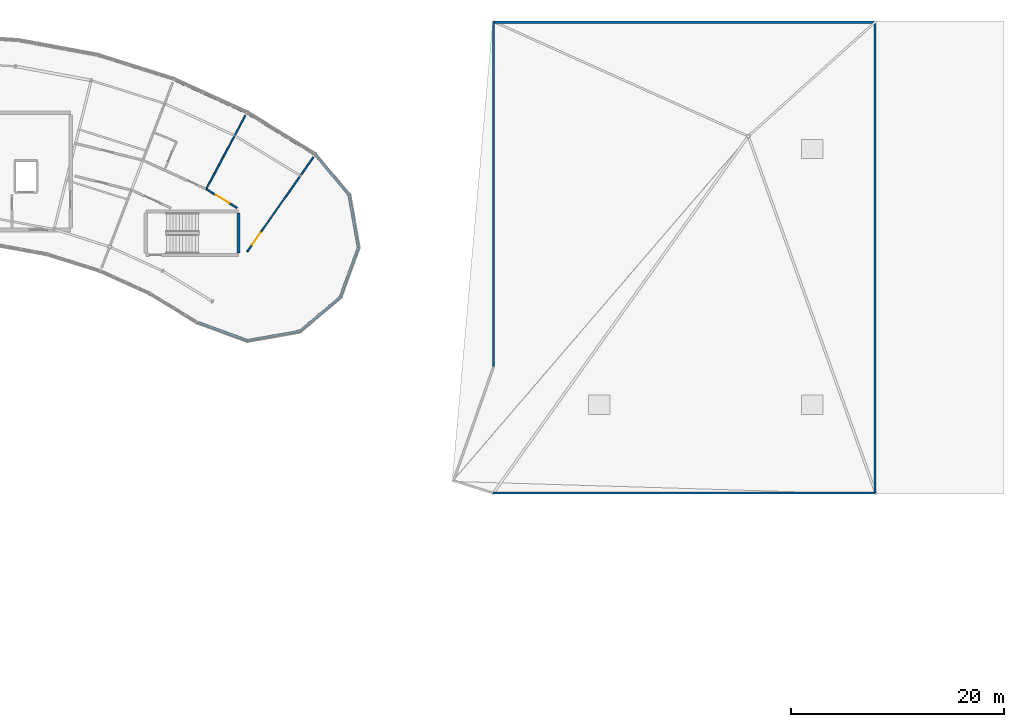
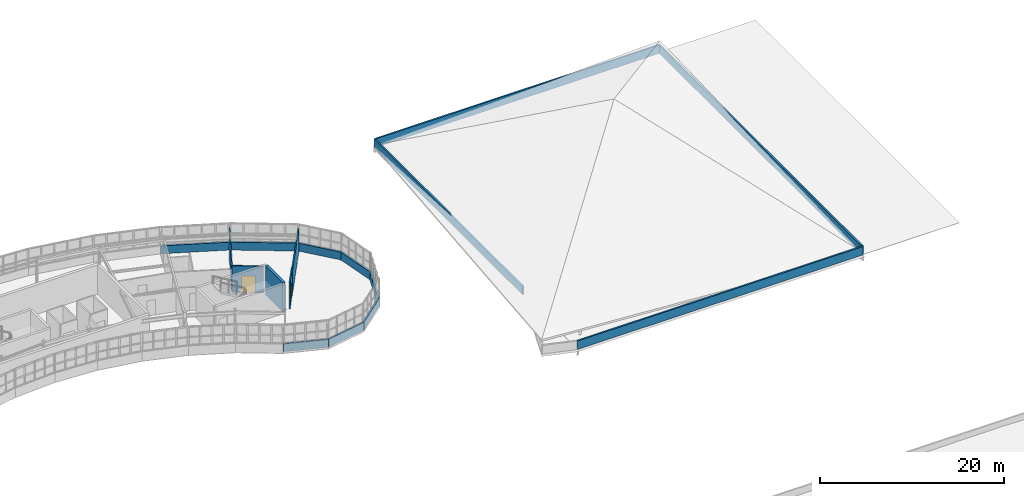
# One storey, part 70 of 79: 17 walls, 2 doors, 2 openings.
"""IFC4 building model written with IfcOpenShell, lengths in metres."""

from ifc_helpers import new_model, si_unit, direction, frame, frame_2d, origin, place, context, subcontext, project, spatial, rectangle, extrude, material, layer, layer_set, type_object, element, fill, save


model = new_model("IFC4")

# Units and contexts
model_context = context("Model", 3, precision=1e-05, world=origin(), true_north=direction((0.0, 1.0)))
body_context = subcontext(model_context, "Body", "Model", "MODEL_VIEW")
ifc_project = project(units=[si_unit("LENGTHUNIT", "METRE"), si_unit("AREAUNIT", "SQUARE_METRE"), si_unit("VOLUMEUNIT", "CUBIC_METRE"), si_unit("PLANEANGLEUNIT", "RADIAN"), si_unit("MASSUNIT", "GRAM", prefix="KILO")], contexts=[model_context])

# Site, building, storey
site_placement = place(None, origin())
site = spatial("IfcSite", under=ifc_project, at=site_placement, CompositionType="ELEMENT")
building_placement = place(site_placement, origin())
building = spatial("IfcBuilding", under=site, at=building_placement, Name="Tarnwether General Hospital", CompositionType="ELEMENT")
storey_placement = place(building_placement, frame((0.0, 0.0, 18.300048828125)))
storey = spatial("IfcBuildingStorey", under=building, at=storey_placement, Name="L04", CompositionType="ELEMENT", Elevation=18.300048828125)

# Walls
ifc_material_1 = material(Name="Streamlined white enamelled aluminium", Category="aluminium")
ifc_layer_1 = layer(ifc_material_1, 0.219970703125)
ifc_layer_set_1 = layer_set([ifc_layer_1], Name="Streamlined white enamelled aluminium")
wall_type_1 = type_object("IfcWallType", Name="WL-EX220", PredefinedType="STANDARD", material=ifc_layer_set_1)
wall_1_placement = place(storey_placement, frame((120.989013671875, 96.031982421875, 0.0), z_axis=(0.0, 0.0, 1.0), x_axis=(-0.939654190044, 0.34212571247, 0.0)))
element("IfcWall", 1, at=wall_1_placement, inside=storey, type_object=wall_type_1, Name="Ward NW Streamlined White Spandrel EW-L04-0048", PredefinedType="STANDARD", context=body_context, shape_type="SweptSolid", body=[
    extrude(rectangle(XDim=4.96875, YDim=0.219970703125, at=frame_2d((2.484375, 0.0))), origin(), (0.0, 0.0, 1.0), 1.050048828125),
])
wall_2_placement = place(storey_placement, frame((125.883056640625, 96.89501953125, 0.0), z_axis=(0.0, 0.0, 1.0), x_axis=(-0.984804817938, -0.173664822479, 0.0)))
element("IfcWall", 2, at=wall_2_placement, inside=storey, type_object=wall_type_1, Name="Ward NW Streamlined White Spandrel EW-L04-0049", PredefinedType="STANDARD", context=body_context, shape_type="SweptSolid", body=[
    extrude(rectangle(XDim=4.969482421875, YDim=0.219970703125, at=frame_2d((2.48486328125, 0.0))), origin(), (0.0, 0.0, 1.0), 1.050048828125),
])
wall_3_placement = place(storey_placement, frame((129.68994140625, 100.090087890625, 0.0), z_axis=(0.0, 0.0, 1.0), x_axis=(-0.765973821879, -0.642871763415, 0.0)))
element("IfcWall", 3, at=wall_3_placement, inside=storey, type_object=wall_type_1, Name="Ward NW Streamlined White Spandrel EW-L04-0050", PredefinedType="STANDARD", context=body_context, shape_type="SweptSolid", body=[
    extrude(rectangle(XDim=4.969970703125, YDim=0.219970703125, at=frame_2d((2.48486328125, 0.0))), origin(), (0.0, 0.0, 1.0), 1.050048828125),
])
wall_4_placement = place(storey_placement, frame((131.388916015625, 104.759033203125, 0.0), z_axis=(0.0, 0.0, 1.0), x_axis=(-0.341952160632, -0.939717361678, 0.0)))
element("IfcWall", 4, at=wall_4_placement, inside=storey, type_object=wall_type_1, Name="Ward NW Streamlined White Spandrel EW-L04-0051", PredefinedType="STANDARD", context=body_context, shape_type="SweptSolid", body=[
    extrude(rectangle(XDim=4.968505859375, YDim=0.219970703125, at=frame_2d((2.484375, 0.0))), origin(), (0.0, 0.0, 1.0), 1.050048828125),
])
wall_5_placement = place(storey_placement, frame((130.527099609375, 109.653076171875, 0.0), z_axis=(0.0, 0.0, 1.0), x_axis=(0.173426579259, -0.984846801085, 0.0)))
element("IfcWall", 5, at=wall_5_placement, inside=storey, type_object=wall_type_1, Name="Ward NW Streamlined White Spandrel EW-L04-0052", PredefinedType="STANDARD", context=body_context, shape_type="SweptSolid", body=[
    extrude(rectangle(XDim=4.96923828125, YDim=0.219970703125, at=frame_2d((2.484619140625, 0.0))), origin(), (0.0, 0.0, 1.0), 1.050048828125),
])
wall_6_placement = place(storey_placement, frame((127.33203125, 113.4599609375, 0.0), z_axis=(0.0, 0.0, 1.0), x_axis=(0.642871763415, -0.765973821879, 0.0)))
element("IfcWall", 6, at=wall_6_placement, inside=storey, type_object=wall_type_1, Name="Ward NW Streamlined White Spandrel EW-L04-0053", PredefinedType="STANDARD", context=body_context, shape_type="SweptSolid", body=[
    extrude(rectangle(XDim=4.969970703125, YDim=0.219970703125, at=frame_2d((2.48486328125, 0.0))), origin(), (0.0, 0.0, 1.0), 1.050048828125),
])
wall_7_placement = place(storey_placement, frame((120.9189453125, 117.389892578125, 0.0), z_axis=(0.0, 0.0, 1.0), x_axis=(0.852640903338, -0.522497358803, 0.0)))
element("IfcWall", 7, at=wall_7_placement, inside=storey, type_object=wall_type_1, Name="Ward NW Streamlined White Spandrel EW-L04-0054", PredefinedType="STANDARD", context=body_context, shape_type="SweptSolid", body=[
    extrude(rectangle(XDim=7.521484375, YDim=0.219970703125, at=frame_2d((3.7607421875, 0.0))), origin(), (0.0, 0.0, 1.0), 1.050048828125),
])
wall_8_placement = place(storey_placement, frame((114.074951171875, 120.509033203125, 0.0), z_axis=(0.0, 0.0, 1.0), x_axis=(0.909953604353, -0.414710064895, 0.0)))
element("IfcWall", 8, at=wall_8_placement, inside=storey, type_object=wall_type_1, Name="Ward NW Streamlined White Spandrel EW-L04-0055", PredefinedType="STANDARD", context=body_context, shape_type="SweptSolid", body=[
    extrude(rectangle(XDim=7.521240234375, YDim=0.219970703125, at=frame_2d((3.7607421875, 0.0))), origin(), (0.0, 0.0, 1.0), 1.050048828125),
])
ifc_material_2 = material(Name="Precast concrete 40 MPa", Category="concrete")
ifc_layer_2 = layer(ifc_material_2, 0.199951171875)
ifc_layer_set_2 = layer_set([ifc_layer_2], Name="Precast concrete 40 MPa")
wall_type_2 = type_object("IfcWallType", Name="WL-PR200", PredefinedType="PARAPET", material=ifc_layer_set_2)
wall_9_placement = place(storey_placement, frame((144.10009765625, 93.60009765625, 0.329833984375), z_axis=(0.0, 0.0, 1.0), x_axis=(0.0, 1.0, 0.0)))
element("IfcWall", 9, at=wall_9_placement, inside=storey, type_object=wall_type_2, Name="Flat Roof Parapet EW-L04-0376", PredefinedType="PARAPET", context=body_context, shape_type="SweptSolid", body=[
    extrude(rectangle(XDim=32.2998046875, YDim=0.199951171875, at=frame_2d((16.14990234375, 0.0))), origin(), (0.0, 0.0, 1.0), 1.1201171875),
])
wall_10_placement = place(storey_placement, frame((144.10009765625, 125.89990234375, 0.329833984375), z_axis=(0.0, 0.0, 1.0), x_axis=(1.0, 0.0, 0.0)))
element("IfcWall", 10, at=wall_10_placement, inside=storey, type_object=wall_type_2, Name="Flat Roof Parapet EW-L04-0377", PredefinedType="PARAPET", context=body_context, shape_type="SweptSolid", body=[
    extrude(rectangle(XDim=35.7998046875, YDim=0.199951171875, at=frame_2d((17.89990234375, 0.0))), origin(), (0.0, 0.0, 1.0), 1.1201171875),
])
wall_11_placement = place(storey_placement, frame((179.89990234375, 125.89990234375, 0.329833984375), z_axis=(0.0, 0.0, 1.0), x_axis=(0.0, -1.0, 0.0)))
element("IfcWall", 11, at=wall_11_placement, inside=storey, type_object=wall_type_2, Name="Flat Roof Parapet EW-L04-0378", PredefinedType="PARAPET", context=body_context, shape_type="SweptSolid", body=[
    extrude(rectangle(XDim=44.199951171875, YDim=0.199951171875, at=frame_2d((22.10009765625, 0.0))), origin(), (0.0, 0.0, 1.0), 1.1201171875),
])
wall_12_placement = place(storey_placement, frame((179.89990234375, 81.699951171875, 0.329833984375), z_axis=(0.0, 0.0, 1.0), x_axis=(-1.0, 0.0, 0.0)))
element("IfcWall", 12, at=wall_12_placement, inside=storey, type_object=wall_type_2, Name="Flat Roof Parapet EW-L04-0379", PredefinedType="PARAPET", context=body_context, shape_type="SweptSolid", body=[
    extrude(rectangle(XDim=35.885009765625, YDim=0.199951171875, at=frame_2d((17.9423828125, 0.0))), origin(), (0.0, 0.0, 1.0), 1.1201171875),
])
ifc_material_3 = material(Name="Gypsum plasterboard")
ifc_layer_3 = layer(ifc_material_3, 0.139892578125)
ifc_layer_set_3 = layer_set([ifc_layer_3], Name="Gypsum plasterboard")
wall_type_3 = type_object("IfcWallType", Name="WL-PT140", PredefinedType="PARTITIONING", material=ifc_layer_set_3)
wall_13_placement = place(storey_placement, frame((117.116943359375, 110.238037109375, 0.0), z_axis=(0.0, 0.0, 1.0), x_axis=(0.469490767167, 0.88293738144, 0.0)))
element("IfcWall", 13, at=wall_13_placement, inside=storey, type_object=wall_type_3, Name="Interior Partition PT-L04-0393", PredefinedType="PARTITIONING", context=body_context, shape_type="SweptSolid", body=[
    extrude(rectangle(XDim=7.8193359375, YDim=0.139892578125, at=frame_2d((3.90966796875, 0.0))), origin(), (0.0, 0.0, 1.0), 3.091064453125),
])
wall_14_placement = place(storey_placement, frame((122.68603515625, 106.824951171875, 0.0), z_axis=(0.0, 0.0, 1.0), x_axis=(0.573682336084, 0.819077882295, 0.0)))
element("IfcWall", 14, at=wall_14_placement, inside=storey, type_object=wall_type_3, Name="Interior Partition PT-L04-0396", PredefinedType="PARTITIONING", context=body_context, shape_type="SweptSolid", body=[
    extrude(rectangle(XDim=7.81982421875, YDim=0.139892578125, at=frame_2d((3.909912109375, 0.0))), origin(), (0.0, 0.0, 1.0), 3.141845703125),
])

# Wall, opening, door
wall_15_placement = place(storey_placement, frame((120.966064453125, 104.366943359375, 0.0), z_axis=(0.0, 0.0, 1.0), x_axis=(0.573320330817, 0.819331311663, 0.0)))
wall_15 = element("IfcWall", 15, at=wall_15_placement, inside=storey, type_object=wall_type_3, Name="Interior Partition PT-L04-0398", PredefinedType="PARTITIONING", context=body_context, shape_type="SweptSolid", body=[
    extrude(rectangle(XDim=3.0, YDim=0.139892578125, at=frame_2d((1.5, 0.0))), origin(), (0.0, 0.0, 1.0), 3.5400390625),
])
opening_1_placement = place(wall_15_placement, frame((0.800048828125, 0.0, 0.0)))
opening_1 = element("IfcOpeningElement", 16, at=opening_1_placement, cuts=wall_15, Name="Opening D-02", PredefinedType="OPENING", context=body_context, shape_type="SweptSolid", body=[
    extrude(rectangle(XDim=1.360107421875, YDim=2.179931640625, at=frame_2d((0.68017578125, 1.08984375))), frame((0.0, 0.080078125, 0.0), z_axis=(0.0, -1.0, 0.0), x_axis=(1.0, 0.0, 0.0)), (0.0, 0.0, 1.0), 0.159912109375),
])
ifc_material_4 = material(Name="Anodised aluminium", Category="aluminium")
door_type_1 = type_object("IfcDoorType", Name="DR-IN02", OperationType="NOTDEFINED", PredefinedType="DOOR", material=ifc_material_4)
door_1_placement = place(opening_1_placement, origin())
door_1 = element("IfcDoor", 17, at=door_1_placement, inside=storey, type_object=door_type_1, Name="Interior Door DR-L04-0221", OperationType="SINGLE_SWING_LEFT", OverallHeight=2.179931640625, OverallWidth=1.360107421875, PredefinedType="DOOR", context=body_context, shape_type="SweptSolid", body=[
    extrude(rectangle(XDim=1.360107421875, YDim=2.179931640625, at=frame_2d((0.68017578125, 1.08984375))), frame((0.0, 0.02490234375, 0.0), z_axis=(0.0, -1.0, 0.0), x_axis=(1.0, 0.0, 0.0)), (0.0, 0.0, 1.0), 0.050048828125),
])
fill(opening_1, door_1)

ifc_material_5 = material(Name="Gypsum plasterboard")
ifc_layer_4 = layer(ifc_material_5, 0.159912109375)
ifc_layer_set_4 = layer_set([ifc_layer_4], Name="Gypsum plasterboard")
wall_type_4 = type_object("IfcWallType", Name="WL-PT160", PredefinedType="PARTITIONING", material=ifc_layer_set_4)
wall_16_placement = place(storey_placement, frame((117.116943359375, 110.238037109375, 0.0), z_axis=(0.0, 0.0, 1.0), x_axis=(0.852605377196, -0.522555327957, 0.0)))
wall_16 = element("IfcWall", 18, at=wall_16_placement, inside=storey, type_object=wall_type_4, Name="Interior Partition PT-L04-0395", PredefinedType="PARTITIONING", context=body_context, shape_type="SweptSolid", body=[
    extrude(rectangle(XDim=3.402587890625, YDim=0.159912109375, at=frame_2d((1.701171875, 0.0))), origin(), (0.0, 0.0, 1.0), 3.5400390625),
])
opening_2_placement = place(wall_16_placement, frame((1.051025390625, 0.0, 0.0)))
opening_2 = element("IfcOpeningElement", 19, at=opening_2_placement, cuts=wall_16, Name="Opening SD-03", PredefinedType="OPENING", context=body_context, shape_type="SweptSolid", body=[
    extrude(rectangle(XDim=1.47998046875, YDim=2.260009765625, at=frame_2d((0.739990234375, 1.1298828125))), frame((0.0, 0.08984375, 0.0), z_axis=(0.0, -1.0, 0.0), x_axis=(1.0, 0.0, 0.0)), (0.0, 0.0, 1.0), 0.179931640625),
])
ifc_material_6 = material(Name="Anodised aluminium", Category="aluminium")
door_type_2 = type_object("IfcDoorType", Name="DR-OR03", OperationType="NOTDEFINED", PredefinedType="DOOR", material=ifc_material_6)
door_2_placement = place(opening_2_placement, origin())
door_2 = element("IfcDoor", 20, at=door_2_placement, inside=storey, type_object=door_type_2, Name="Interior Door DR-L04-0220", OperationType="SLIDING_TO_LEFT", OverallHeight=2.260009765625, OverallWidth=1.47998046875, PredefinedType="DOOR", context=body_context, shape_type="SweptSolid", body=[
    extrude(rectangle(XDim=1.47998046875, YDim=2.260009765625, at=frame_2d((0.739990234375, 1.1298828125))), frame((0.0, 0.02490234375, 0.0), z_axis=(0.0, -1.0, 0.0), x_axis=(1.0, 0.0, 0.0)), (0.0, 0.0, 1.0), 0.050048828125),
])
fill(opening_2, door_2)

# Wall
ifc_material_7 = material(Name="Concrete 50 MPa", Category="concrete")
ifc_layer_5 = layer(ifc_material_7, 0.300048828125)
ifc_layer_set_5 = layer_set([ifc_layer_5], Name="Concrete 50 MPa")
wall_type_5 = type_object("IfcWallType", Name="WL-SW300", PredefinedType="SHEAR", material=ifc_layer_set_5)
wall_17_placement = place(storey_placement, frame((120.14990234375, 104.219970703125, 0.0), z_axis=(0.0, 0.0, 1.0), x_axis=(0.0, 1.0, 0.0)))
element("IfcWall", 21, at=wall_17_placement, inside=storey, type_object=wall_type_5, Name="Stairwell Shear Wall STW-ST-08-L04-F", PredefinedType="SHEAR", context=body_context, shape_type="SweptSolid", body=[
    extrude(rectangle(XDim=3.760009765625, YDim=0.300048828125, at=frame_2d((1.8798828125, 0.0))), origin(), (0.0, 0.0, 1.0), 3.89990234375),
])

save(model, "model.ifc")
